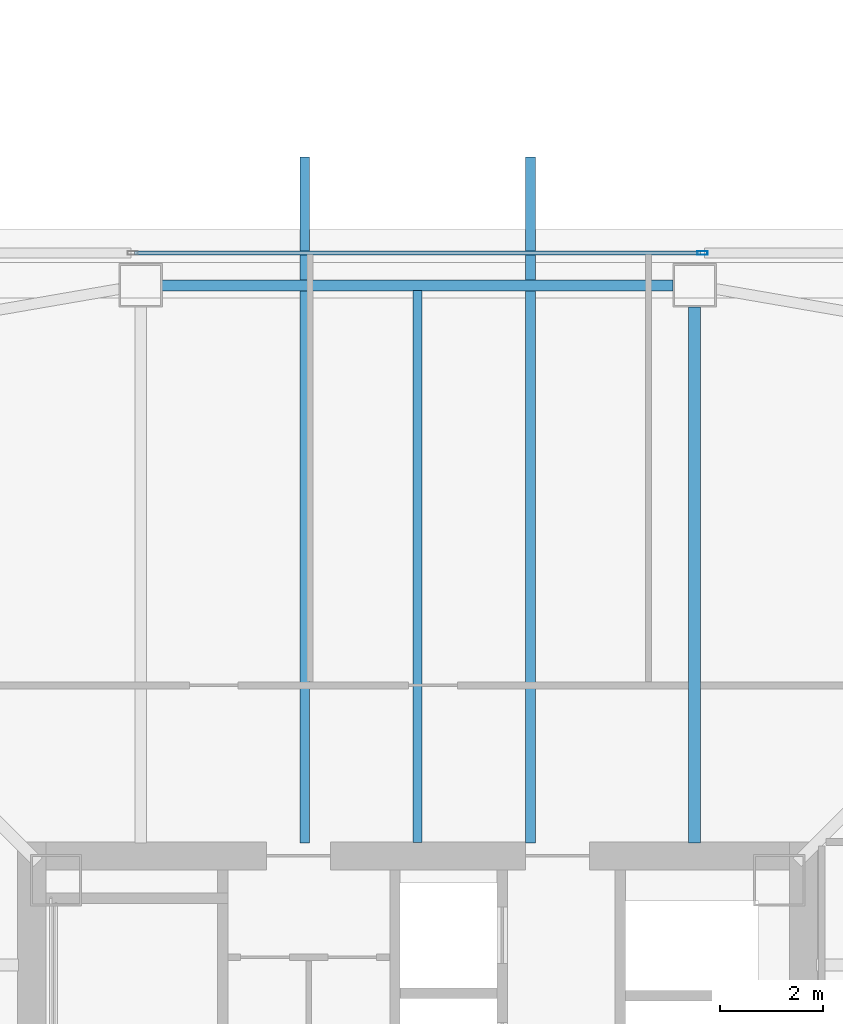
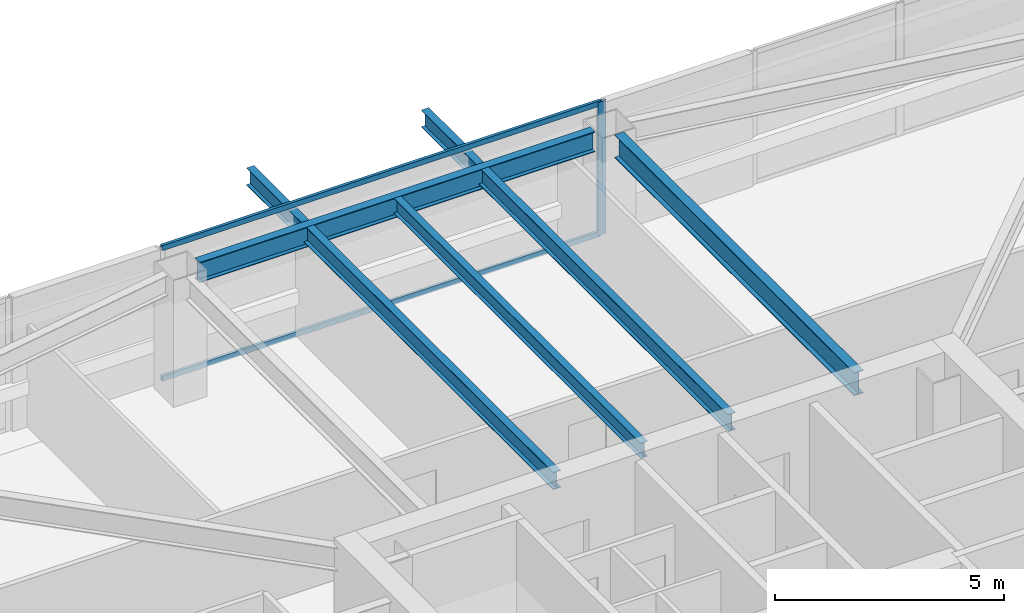
# One storey, part 13 of 46: 5 beams, 3 members, 1 element without a shape of its own.
"""IFC4 building model written with IfcOpenShell, lengths in metres."""

from ifc_helpers import new_model, si_unit, direction, frame, origin, origin_2d, place, context, subcontext, project, spatial, hollow_rectangle, i_section, extrude, material, material_profile, profile_set, type_object, element, aggregate, save


model = new_model("IFC4")

# Units and contexts
model_context = context("Model", 3, precision=1e-05, world=origin(), true_north=direction((0.0, 1.0)))
body_context = subcontext(model_context, "Body", "Model", "MODEL_VIEW")
ifc_project = project(units=[si_unit("LENGTHUNIT", "METRE"), si_unit("AREAUNIT", "SQUARE_METRE"), si_unit("VOLUMEUNIT", "CUBIC_METRE"), si_unit("PLANEANGLEUNIT", "RADIAN"), si_unit("MASSUNIT", "GRAM", prefix="KILO")], contexts=[model_context])

# Site, building, storey
site_placement = place(None, origin())
site = spatial("IfcSite", under=ifc_project, at=site_placement, CompositionType="ELEMENT")
building_placement = place(site_placement, origin())
building = spatial("IfcBuilding", under=site, at=building_placement, Name="Tashvorn Skyway Center", CompositionType="ELEMENT")
storey_placement = place(building_placement, frame((0.0, 0.0, 132.14990234375)))
storey = spatial("IfcBuildingStorey", under=building, at=storey_placement, Name="L35", CompositionType="ELEMENT", Elevation=132.14990234375)

# Beams
ifc_material_1 = material(Name="Steel ASTM A992 Grade 50", Category="steel")
ifc_material_profile_1 = material_profile(ifc_material_1, i_section(OverallWidth=0.22998046875, OverallDepth=0.616943359375, WebThickness=0.01318359375, FlangeThickness=0.022216796875, at=origin_2d()), Name="W24X94")
ifc_profile_set_1 = profile_set([ifc_material_profile_1], Name="Steel ASTM A992 Grade 50")
beam_type_1 = type_object("IfcBeamType", Name="BM-BEAM-W24X94", PredefinedType="BEAM", material=ifc_profile_set_1)
beam_1_placement = place(storey_placement, frame((47.39990234375, 50.22998046875, 3.0615234375), z_axis=(0.0, -1.0, 0.0), x_axis=(1.0, 0.0, 0.0)))
element("IfcBeam", 1, at=beam_1_placement, inside=storey, type_object=beam_type_1, Name="Tower 1 L35 Primary Floor Girder FC-N1", PredefinedType="BEAM", context=body_context, shape_type="SweptSolid", body=[
    extrude(i_section(OverallWidth=0.22998046875, OverallDepth=0.616943359375, WebThickness=0.01318359375, FlangeThickness=0.022216796875, at=origin_2d()), origin(), (0.0, 0.0, 1.0), 10.449951171875),
])
ifc_material_profile_2 = material_profile(ifc_material_1, i_section(OverallWidth=0.177978515625, OverallDepth=0.406005859375, WebThickness=0.0078125, FlangeThickness=0.0126953125, at=origin_2d()), Name="W16X40")
ifc_profile_set_2 = profile_set([ifc_material_profile_2], Name="Steel ASTM A992 Grade 50")
beam_type_2 = type_object("IfcBeamType", Name="BM-JOIST-W16X40", PredefinedType="JOIST", material=ifc_profile_set_2)
beam_2_placement = place(storey_placement, frame((42.0, 39.7900390625, 3.1669921875), z_axis=(0.0, 1.0, 0.0), x_axis=(-1.0, 0.0, 0.0)))
element("IfcBeam", 2, at=beam_2_placement, inside=storey, type_object=beam_type_2, Name="Tower 1 L35 Secondary Composite Joist JN", PredefinedType="JOIST", context=body_context, shape_type="SweptSolid", body=[
    extrude(i_section(OverallWidth=0.177978515625, OverallDepth=0.406005859375, WebThickness=0.0078125, FlangeThickness=0.0126953125, at=origin_2d()), origin(), (0.0, 0.0, 1.0), 10.762451171875),
])
ifc_material_profile_3 = material_profile(ifc_material_1, i_section(OverallWidth=0.19091796875, OverallDepth=0.4599609375, WebThickness=0.010009765625, FlangeThickness=0.01611328125, at=origin_2d()), Name="W18X55")
ifc_profile_set_3 = profile_set([ifc_material_profile_3], Name="Steel ASTM A992 Grade 50")
beam_type_3 = type_object("IfcBeamType", Name="BM-JOIST-W18X55", PredefinedType="JOIST", material=ifc_profile_set_3)
for number, where, z_axis, x_axis, name in (
    (3, (39.800048828125, 39.780029296875, 3.14013671875), (0.0, 1.0, 0.0), (-1.0, 0.0, 0.0), "Tower 1 L36 Terrace Cantilever Outlooker 1"),
    (4, (44.199951171875, 39.780029296875, 3.14013671875), (0.0, 1.0, 0.0), (-1.0, 0.0, 0.0), "Tower 1 L36 Terrace Cantilever Outlooker 2"),
):
    element("IfcBeam", number, at=place(storey_placement, frame(where, z_axis=z_axis, x_axis=x_axis)), inside=storey, type_object=beam_type_3, Name=name, PredefinedType="JOIST", context=body_context, shape_type="SweptSolid", body=[
        extrude(i_section(OverallWidth=0.19091796875, OverallDepth=0.4599609375, WebThickness=0.010009765625, FlangeThickness=0.01611328125, at=origin_2d()), origin(), (0.0, 0.0, 1.0), 13.369873046875),
    ])
ifc_material_profile_4 = material_profile(ifc_material_1, i_section(OverallWidth=0.2109375, OverallDepth=0.5390625, WebThickness=0.01171875, FlangeThickness=0.018798828125, at=origin_2d()), Name="W21X73")
ifc_profile_set_4 = profile_set([ifc_material_profile_4], Name="Steel ASTM A992 Grade 50")
beam_type_4 = type_object("IfcBeamType", Name="BM-SPANDREL-W21X73", PredefinedType="SPANDREL", material=ifc_profile_set_4)
beam_3_placement = place(storey_placement, frame((46.97998046875, 50.64990234375, 3.1005859375), z_axis=(-1.0, 0.0, 0.0), x_axis=(0.0, -1.0, 0.0)))
element("IfcBeam", 5, at=beam_3_placement, inside=storey, type_object=beam_type_4, Name="Tower 1 L35 Spandrel Beam 08", PredefinedType="SPANDREL", context=body_context, shape_type="SweptSolid", body=[
    extrude(i_section(OverallWidth=0.2109375, OverallDepth=0.5390625, WebThickness=0.01171875, FlangeThickness=0.018798828125, at=origin_2d()), origin(), (0.0, 0.0, 1.0), 9.9599609375),
])

# Curtain wall, members
ifc_material_2 = material(Name="Thermally broken bronze-anodized aluminium 6063-T6", Category="aluminium")
curtain_wall_type = type_object("IfcCurtainWallType", Name="CW-CW-Z3", PredefinedType="NOTDEFINED", material=ifc_material_2)
curtain_wall_placement = place(storey_placement, origin())
curtain_wall = element("IfcCurtainWall", 6, at=curtain_wall_placement, inside=storey, type_object=curtain_wall_type, Name="Tower 1 L35 North Unitised Curtain Wall Glazing Group 2", PredefinedType="NOTDEFINED")
ifc_material_profile_5 = material_profile(ifc_material_2, hollow_rectangle(XDim=0.074951171875, YDim=0.199951171875, WallThickness=0.00439453125, at=origin_2d()), Name="ALU-MULL-75x200")
ifc_profile_set_5 = profile_set([ifc_material_profile_5], Name="Thermally broken bronze-anodized aluminium 6063-T6")
member_type_1 = type_object("IfcMemberType", Name="CWM-CW-Z3", PredefinedType="MULLION", material=ifc_profile_set_5)
member_1_placement = place(storey_placement, frame((47.555908203125, 51.280029296875, 0.0), z_axis=(0.0, 0.0, 1.0), x_axis=(0.0, 1.0, 0.0)))
member_1 = element("IfcMember", 7, at=member_1_placement, type_object=member_type_1, Name="CW-Z3 mullion 2", PredefinedType="MULLION", context=body_context, shape_type="SweptSolid", body=[
    extrude(hollow_rectangle(XDim=0.074951171875, YDim=0.199951171875, WallThickness=0.00439453125, at=origin_2d()), origin(), (0.0, 0.0, 1.0), 3.550048828125),
])
ifc_material_profile_6 = material_profile(ifc_material_2, hollow_rectangle(XDim=0.074951171875, YDim=0.139892578125, WallThickness=0.004150390625, at=origin_2d()), Name="ALU-TRAN-75x140")
ifc_profile_set_6 = profile_set([ifc_material_profile_6], Name="Thermally broken bronze-anodized aluminium 6063-T6")
member_type_2 = type_object("IfcMemberType", Name="CWT-CW-Z3", PredefinedType="USERDEFINED", material=ifc_profile_set_6)
member_2_placement = place(storey_placement, frame((36.481689453125, 51.280029296875, 0.03759765625), z_axis=(1.0, 0.0, 0.0), x_axis=(0.0, 1.0, 0.0)))
member_2 = element("IfcMember", 8, at=member_2_placement, type_object=member_type_2, Name="CW-Z3 transom 1.1", ObjectType="TRANSOM", PredefinedType="USERDEFINED", context=body_context, shape_type="SweptSolid", body=[
    extrude(hollow_rectangle(XDim=0.074951171875, YDim=0.139892578125, WallThickness=0.004150390625, at=origin_2d()), origin(), (0.0, 0.0, 1.0), 11.03662109375),
])
member_3_placement = place(storey_placement, frame((36.481689453125, 51.280029296875, 3.5126953125), z_axis=(1.0, 0.0, 0.0), x_axis=(0.0, 1.0, 0.0)))
member_3 = element("IfcMember", 9, at=member_3_placement, type_object=member_type_2, Name="CW-Z3 transom 1.2", ObjectType="TRANSOM", PredefinedType="USERDEFINED", context=body_context, shape_type="SweptSolid", body=[
    extrude(hollow_rectangle(XDim=0.074951171875, YDim=0.139892578125, WallThickness=0.004150390625, at=origin_2d()), origin(), (0.0, 0.0, 1.0), 11.03662109375),
])
aggregate(curtain_wall, [member_1, member_2, member_3])

save(model, "model.ifc")
